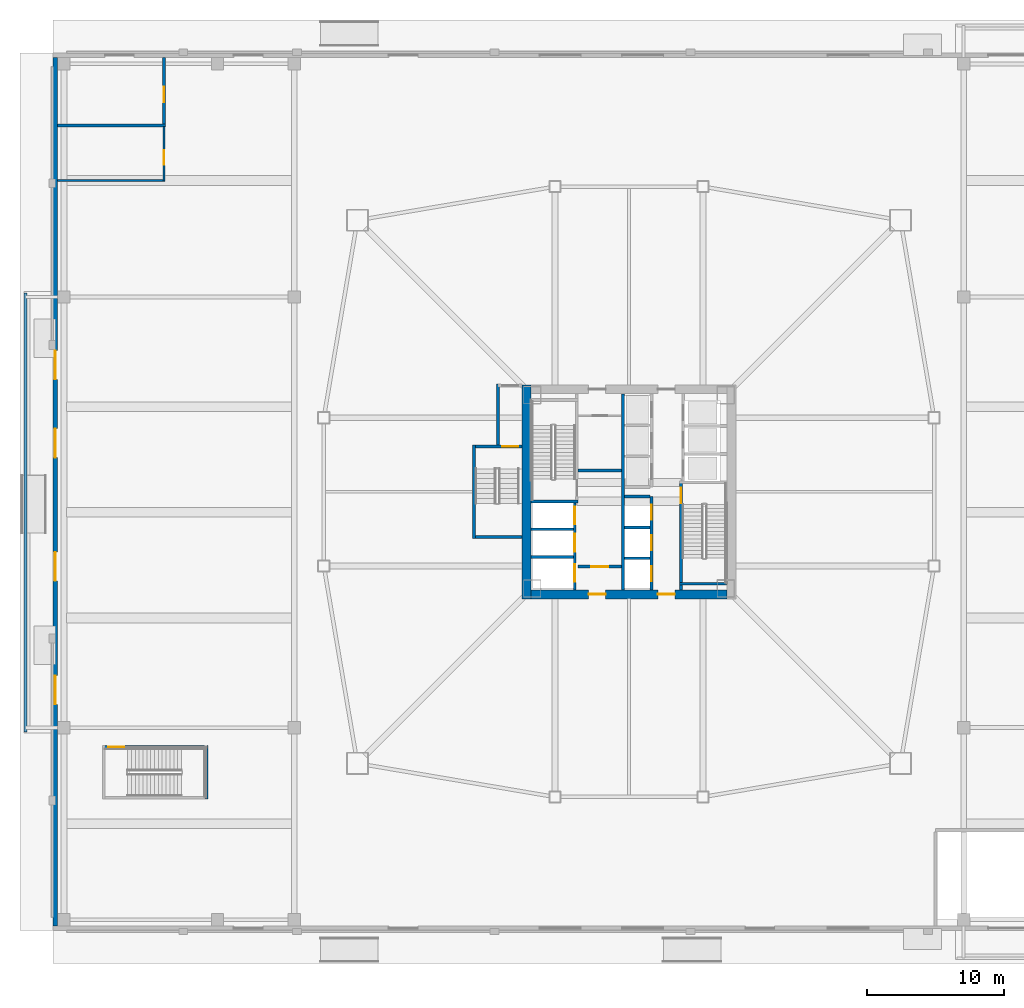
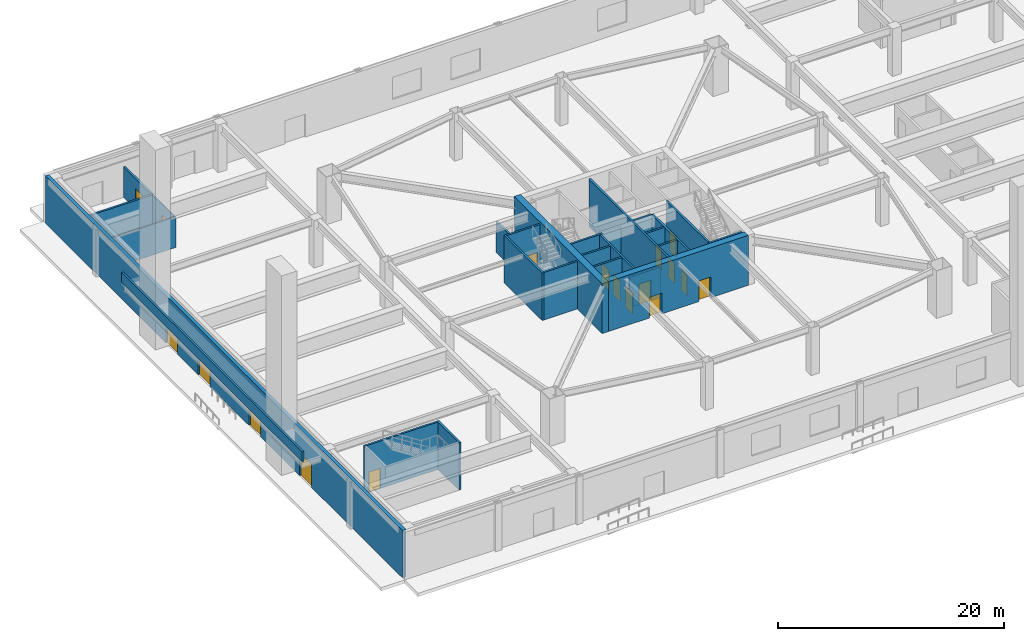
# One storey, part 8 of 26: 27 walls, 18 doors, 18 openings.
"""IFC4 building model written with IfcOpenShell, lengths in metres."""

import ifcopenshell
import ifcopenshell.guid

model = None  # the IFC model being written
_history = None  # IfcOwnerHistory: only IFC2X3 demands one
_inside = {}  # id of a spatial element -> (the spatial element, [elements in it])
_under = {}  # id of a project, library or spatial element -> (it, [spatial elements below it])
_declared = {}  # id of a project -> (the project, [libraries it declares])
_typed = {}  # id of a type object -> (the type object, [elements of that type])
_made_of = {}  # id of a material, layer set ... -> (it, [elements and type objects made of it])


def new_model(schema):
    """Start an empty IFC model of exactly this schema.

    Asked for "IFC4X3", IfcOpenShell would pick the latest addendum, in which some entities
    have other attributes; the version numbers below select the first issue.
    IFC2X3 requires an IfcOwnerHistory on every rooted entity: one is made here for all.
    """
    global model, _history
    if schema == "IFC4X3":
        model = ifcopenshell.file(schema_version=(4, 3, 0, 0))
    else:
        model = ifcopenshell.file(schema=schema)
    _inside.clear()
    _under.clear()
    _declared.clear()
    _typed.clear()
    _made_of.clear()
    _history = None
    if model.schema == "IFC2X3":
        org = make("IfcOrganization", Name="unknown")
        user = make(
            "IfcPersonAndOrganization",
            ThePerson=make("IfcPerson", FamilyName="unknown"),
            TheOrganization=org,
        )
        app = make(
            "IfcApplication",
            ApplicationDeveloper=org,
            Version="unknown",
            ApplicationFullName="unknown",
            ApplicationIdentifier="unknown",
        )
        _history = make(
            "IfcOwnerHistory",
            OwningUser=user,
            OwningApplication=app,
            ChangeAction="ADDED",
            CreationDate=0,
        )
    return model


def make(cls, **values):
    """One entity of the class cls with the attributes given. An attribute that is None is left unset."""
    return model.create_entity(
        cls, **{name: value for name, value in values.items() if value is not None}
    )


def rooted(cls, **values):
    """An entity with a GlobalId (a new one), such as an element, a storey or a relation."""
    return make(cls, GlobalId=ifcopenshell.guid.new(), OwnerHistory=_history, **values)


def si_unit(unit_type, name, prefix=None):
    """IfcSIUnit, for example si_unit("LENGTHUNIT", "METRE", prefix="MILLI")."""
    return make("IfcSIUnit", UnitType=unit_type, Prefix=prefix, Name=name)


def assignment(units):
    """IfcUnitAssignment: the units of a project."""
    return None if units is None else make("IfcUnitAssignment", Units=units)


def point(xyz):
    """IfcCartesianPoint."""
    return None if xyz is None else make("IfcCartesianPoint", Coordinates=xyz)


def direction(xyz):
    """IfcDirection."""
    return None if xyz is None else make("IfcDirection", DirectionRatios=xyz)


def frame(location, z_axis=None, x_axis=None):
    """IfcAxis2Placement3D, a coordinate frame: its origin and axes. An axis left out is left unset."""
    return make(
        "IfcAxis2Placement3D",
        Location=point(location),
        Axis=direction(z_axis),
        RefDirection=direction(x_axis),
    )


def frame_2d(location, x_axis=None):
    """IfcAxis2Placement2D, a coordinate frame in the plane: its origin and x axis."""
    return make(
        "IfcAxis2Placement2D", Location=point(location), RefDirection=direction(x_axis)
    )


def origin():
    """The frame at (0, 0, 0) with its axes left unset."""
    return frame((0.0, 0.0, 0.0))


def place(relative_to, where):
    """IfcLocalPlacement: puts the frame where relative to a parent placement (None: the world)."""
    return make(
        "IfcLocalPlacement", PlacementRelTo=relative_to, RelativePlacement=where
    )


def context(
    kind, dimensions, precision=None, world=None, true_north=None, identifier=None
):
    """IfcGeometricRepresentationContext, for example the 3D "Model" context."""
    return make(
        "IfcGeometricRepresentationContext",
        ContextIdentifier=identifier,
        ContextType=kind,
        CoordinateSpaceDimension=dimensions,
        Precision=precision,
        WorldCoordinateSystem=world,
        TrueNorth=true_north,
    )


def subcontext(parent, identifier, kind, view, scale=None):
    """IfcGeometricRepresentationSubContext, for example "Body" below "Model"."""
    return make(
        "IfcGeometricRepresentationSubContext",
        ContextIdentifier=identifier,
        ContextType=kind,
        ParentContext=parent,
        TargetScale=scale,
        TargetView=view,
    )


def project(units=None, contexts=None):
    """IfcProject with its units and contexts."""
    return rooted(
        "IfcProject",
        Name="project",
        RepresentationContexts=contexts,
        UnitsInContext=assignment(units),
    )


def spatial(cls, under=None, at=None, **own):
    """A site, building, storey or space (cls), placed at a placement, below another one or the project."""
    s = rooted(cls, ObjectPlacement=at, **own)
    if under is not None:
        _under.setdefault(under.id(), (under, []))[1].append(s)
    return s


def profile(cls, at=None, kind="AREA", **sizes):
    """A parametric profile (cls). Its sizes go by their IFC names, for example OverallWidth=200.0."""
    return make(cls, ProfileType=kind, Position=at, **sizes)


def rectangle(**sizes):
    """IfcRectangleProfileDef."""
    return profile("IfcRectangleProfileDef", **sizes)


def extrude(swept, where, along, depth):
    """IfcExtrudedAreaSolid: the profile swept, set in the frame where, extruded along a direction by depth."""
    return make(
        "IfcExtrudedAreaSolid",
        SweptArea=swept,
        Position=where,
        ExtrudedDirection=direction(along),
        Depth=depth,
    )


def shape(context_of_items, identifier, shape_type, items):
    """IfcShapeRepresentation: the items that make up one representation, for example the "Body"."""
    return make(
        "IfcShapeRepresentation",
        ContextOfItems=context_of_items,
        RepresentationIdentifier=identifier,
        RepresentationType=shape_type,
        Items=items,
    )


def material(Name=None, Category=None):
    """IfcMaterial."""
    return make("IfcMaterial", Name=Name, Category=Category)


def layer(
    of_material, thickness, ventilated=None, Name=None, Category=None, Priority=None
):
    """IfcMaterialLayer: one layer of a wall or slab, of a material (None: an air gap)."""
    return make(
        "IfcMaterialLayer",
        Material=of_material,
        LayerThickness=thickness,
        IsVentilated=ventilated,
        Name=Name,
        Category=Category,
        Priority=Priority,
    )


def layer_set(layers, Name=None):
    """IfcMaterialLayerSet."""
    return make("IfcMaterialLayerSet", MaterialLayers=layers, LayerSetName=Name)


def made_of(thing, what):
    """Note that an element or type object is made of a material, layer set ...; save() writes the relation."""
    if what is not None:
        _made_of.setdefault(what.id(), (what, []))[1].append(thing)
    return thing


def type_object(cls, material=None, **own):
    """A type object (cls), such as IfcWallType, which elements share."""
    return made_of(rooted(cls, **own), material)


def element(
    cls,
    number,
    at=None,
    inside=None,
    cuts=None,
    type_object=None,
    material=None,
    context=None,
    identifier="Body",
    shape_type=None,
    held_by="IfcProductDefinitionShape",
    body=None,
    shapes=None,
    **own,
):
    """One element of the class cls, such as IfcWall. Its Tag is "e" and its number.

    at: its placement. inside: the storey or other place that contains it. cuts: it is an
    opening in that element (IfcRelVoidsElement). A single representation is given by context,
    identifier, shape_type and body (its items); several are given by shapes. held_by: the class
    of the entity that holds the representations. save() writes the other relations.
    """
    e = rooted(cls, Tag="e%d" % number, ObjectPlacement=at, **own)
    if body is not None:
        shapes = [shape(context, identifier, shape_type, body)]
    if shapes is not None:
        e.Representation = make(held_by, Representations=shapes)
    if inside is not None:
        _inside.setdefault(inside.id(), (inside, []))[1].append(e)
    if cuts is not None:
        rooted(
            "IfcRelVoidsElement", RelatingBuildingElement=cuts, RelatedOpeningElement=e
        )
    if type_object is not None:
        _typed.setdefault(type_object.id(), (type_object, []))[1].append(e)
    return made_of(e, material)


def fill(opening, filler):
    """IfcRelFillsElement: the door or window that sits in an opening."""
    return rooted(
        "IfcRelFillsElement",
        RelatingOpeningElement=opening,
        RelatedBuildingElement=filler,
    )


def aggregate(whole, parts):
    """IfcRelAggregates: a whole, such as a stair, and the parts it consists of."""
    return rooted("IfcRelAggregates", RelatingObject=whole, RelatedObjects=parts)


def save(model, path):
    """Write the relations noted so far, then the file.

    IfcRelAggregates (storeys below a building ...), IfcRelContainedInSpatialStructure (elements
    in a storey), IfcRelDefinesByType, IfcRelAssociatesMaterial and IfcRelDeclares: one each for
    every whole, place, type object, material and project.
    """
    for whole, parts in _under.values():
        aggregate(whole, parts)
    for where, things in _inside.values():
        rooted(
            "IfcRelContainedInSpatialStructure",
            RelatedElements=things,
            RelatingStructure=where,
        )
    for kind, things in _typed.values():
        rooted("IfcRelDefinesByType", RelatedObjects=things, RelatingType=kind)
    for what, things in _made_of.values():
        rooted("IfcRelAssociatesMaterial", RelatedObjects=things, RelatingMaterial=what)
    for by, libraries in _declared.values():
        rooted("IfcRelDeclares", RelatingContext=by, RelatedDefinitions=libraries)
    model.write(path)


model = new_model("IFC4")

# Units and contexts
model_context = context("Model", 3, precision=1e-05, world=origin(), true_north=direction((0.0, 1.0)))
body_context = subcontext(model_context, "Body", "Model", "MODEL_VIEW")
ifc_project = project(units=[si_unit("LENGTHUNIT", "METRE"), si_unit("AREAUNIT", "SQUARE_METRE"), si_unit("VOLUMEUNIT", "CUBIC_METRE"), si_unit("PLANEANGLEUNIT", "RADIAN"), si_unit("MASSUNIT", "GRAM", prefix="KILO")], contexts=[model_context])

# Site, building, storey
site_placement = place(None, origin())
site = spatial("IfcSite", under=ifc_project, at=site_placement, CompositionType="ELEMENT")
building_placement = place(site_placement, origin())
building = spatial("IfcBuilding", under=site, at=building_placement, Name="Tashvorn Skyway Center", CompositionType="ELEMENT")
storey_placement = place(building_placement, origin())
storey = spatial("IfcBuildingStorey", under=building, at=storey_placement, Name="L00", CompositionType="ELEMENT", Elevation=0.0)

# Wall
ifc_material_1 = material(Name="Concrete C60/75", Category="concrete")
ifc_layer_1 = layer(ifc_material_1, 0.64990234375)
ifc_layer_set_1 = layer_set([ifc_layer_1], Name="Concrete C60/75")
wall_type_1 = type_object("IfcWallType", Name="WALL-CORE-650", PredefinedType="SHEAR", material=ifc_layer_set_1)
wall_1_placement = place(storey_placement, frame((34.52490234375, 24.199951171875, 0.0), z_axis=(0.0, 0.0, 1.0), x_axis=(0.0, 1.0, 0.0)))
element("IfcWall", 1, at=wall_1_placement, inside=storey, type_object=wall_type_1, Name="Tower 1 L00 West Core Shear Wall", PredefinedType="SHEAR", context=body_context, shape_type="SweptSolid", body=[
    extrude(rectangle(XDim=15.60009765625, YDim=0.64990234375, at=frame_2d((7.800048828125, 0.0))), origin(), (0.0, 0.0, 1.0), 5.39990234375),
])

# Wall, openings, doors
wall_2_placement = place(storey_placement, frame((49.14990234375, 24.52490234375, 0.0), z_axis=(0.0, 0.0, 1.0), x_axis=(-1.0, 0.0, 0.0)))
wall_2 = element("IfcWall", 2, at=wall_2_placement, inside=storey, type_object=wall_type_1, Name="Tower 1 L00 South Core Shear Wall", PredefinedType="SHEAR", context=body_context, shape_type="SweptSolid", body=[
    extrude(rectangle(XDim=14.2998046875, YDim=0.64990234375, at=frame_2d((7.14990234375, 0.0))), origin(), (0.0, 0.0, 1.0), 5.39990234375),
])
opening_1_placement = place(wall_2_placement, frame((8.85009765625, 0.0, 0.0)))
opening_1 = element("IfcOpeningElement", 3, at=opening_1_placement, cuts=wall_2, Name="Opening D-FFL-1250", PredefinedType="OPENING", context=body_context, shape_type="SweptSolid", body=[
    extrude(rectangle(XDim=1.25, YDim=2.25, at=frame_2d((0.625, 1.125))), frame((0.0, 0.3349609375, 0.0), z_axis=(0.0, -1.0, 0.0), x_axis=(1.0, 0.0, 0.0)), (0.0, 0.0, 1.0), 0.669921875),
])
opening_2_placement = place(wall_2_placement, frame((3.800048828125, 0.0, 0.0)))
opening_2 = element("IfcOpeningElement", 4, at=opening_2_placement, cuts=wall_2, Name="Opening D-FFL-1250", PredefinedType="OPENING", context=body_context, shape_type="SweptSolid", body=[
    extrude(rectangle(XDim=1.25, YDim=2.25, at=frame_2d((0.625, 1.125))), frame((0.0, 0.3349609375, 0.0), z_axis=(0.0, -1.0, 0.0), x_axis=(1.0, 0.0, 0.0)), (0.0, 0.0, 1.0), 0.669921875),
])
ifc_material_2 = material(Name="Hollow galvanized steel fire door assembly", Category="steel")
door_type_1 = type_object("IfcDoorType", Name="DOOR-FFL-1250", OperationType="NOTDEFINED", PredefinedType="DOOR", material=ifc_material_2)
door_1_placement = place(opening_1_placement, origin())
door_1 = element("IfcDoor", 5, at=door_1_placement, inside=storey, type_object=door_type_1, Name="Tower 1 L00 Core South Firefighting Exit Door", OperationType="SINGLE_SWING_LEFT", OverallHeight=2.25, OverallWidth=1.25, PredefinedType="DOOR", context=body_context, shape_type="SweptSolid", body=[
    extrude(rectangle(XDim=1.25, YDim=2.25, at=frame_2d((0.625, 1.125))), frame((0.0, 0.02490234375, 0.0), z_axis=(0.0, -1.0, 0.0), x_axis=(1.0, 0.0, 0.0)), (0.0, 0.0, 1.0), 0.050048828125),
])
fill(opening_1, door_1)
door_2_placement = place(opening_2_placement, origin())
door_2 = element("IfcDoor", 6, at=door_2_placement, inside=storey, type_object=door_type_1, Name="Tower 1 L00 Core South Lift Lobby Door", OperationType="SINGLE_SWING_RIGHT", OverallHeight=2.25, OverallWidth=1.25, PredefinedType="DOOR", context=body_context, shape_type="SweptSolid", body=[
    extrude(rectangle(XDim=1.25, YDim=2.25, at=frame_2d((0.625, 1.125))), frame((0.0, 0.02490234375, 0.0), z_axis=(0.0, -1.0, 0.0), x_axis=(1.0, 0.0, 0.0)), (0.0, 0.0, 1.0), 0.050048828125),
])
fill(opening_2, door_2)

ifc_material_3 = material(Name="Precast concrete C40/50", Category="concrete")
ifc_layer_2 = layer(ifc_material_3, 0.35009765625)
ifc_layer_set_2 = layer_set([ifc_layer_2], Name="Precast concrete C40/50")
wall_type_2 = type_object("IfcWallType", Name="WALL-EXT-350", PredefinedType="SOLIDWALL", material=ifc_layer_set_2)
wall_3_placement = place(storey_placement, frame((0.175048828125, 0.35009765625, 0.0), z_axis=(0.0, 0.0, 1.0), x_axis=(0.0, 1.0, 0.0)))
wall_3 = element("IfcWall", 7, at=wall_3_placement, inside=storey, type_object=wall_type_2, Name="L00 West Postmodern Precast Facade Wall", PredefinedType="SOLIDWALL", context=body_context, shape_type="SweptSolid", body=[
    extrude(rectangle(XDim=63.2998046875, YDim=0.35009765625, at=frame_2d((31.64990234375, 0.0))), origin(), (0.0, 0.0, 1.0), 5.139892578125),
])
opening_3_placement = place(wall_3_placement, frame((16.14990234375, 0.0, 0.0)))
opening_3 = element("IfcOpeningElement", 8, at=opening_3_placement, cuts=wall_3, Name="Opening D-EXT-2100", PredefinedType="OPENING", context=body_context, shape_type="SweptSolid", body=[
    extrude(rectangle(XDim=2.10009765625, YDim=2.5, at=frame_2d((1.050048828125, 1.25))), frame((0.0, 0.18505859375, 0.0), z_axis=(0.0, -1.0, 0.0), x_axis=(1.0, 0.0, 0.0)), (0.0, 0.0, 1.0), 0.3701171875),
])
opening_4_placement = place(wall_3_placement, frame((25.14990234375, 0.0, 0.0)))
opening_4 = element("IfcOpeningElement", 9, at=opening_4_placement, cuts=wall_3, Name="Opening D-EXT-2100", PredefinedType="OPENING", context=body_context, shape_type="SweptSolid", body=[
    extrude(rectangle(XDim=2.10009765625, YDim=2.5, at=frame_2d((1.050048828125, 1.25))), frame((0.0, 0.18505859375, 0.0), z_axis=(0.0, -1.0, 0.0), x_axis=(1.0, 0.0, 0.0)), (0.0, 0.0, 1.0), 0.3701171875),
])
opening_5_placement = place(wall_3_placement, frame((34.14990234375, 0.0, 0.0)))
opening_5 = element("IfcOpeningElement", 10, at=opening_5_placement, cuts=wall_3, Name="Opening D-EXT-2100", PredefinedType="OPENING", context=body_context, shape_type="SweptSolid", body=[
    extrude(rectangle(XDim=2.10009765625, YDim=2.5, at=frame_2d((1.050048828125, 1.25))), frame((0.0, 0.18505859375, 0.0), z_axis=(0.0, -1.0, 0.0), x_axis=(1.0, 0.0, 0.0)), (0.0, 0.0, 1.0), 0.3701171875),
])
opening_6_placement = place(wall_3_placement, frame((39.85009765625, 0.0, 0.0)))
opening_6 = element("IfcOpeningElement", 11, at=opening_6_placement, cuts=wall_3, Name="Opening D-EXT-2100", PredefinedType="OPENING", context=body_context, shape_type="SweptSolid", body=[
    extrude(rectangle(XDim=2.10009765625, YDim=2.5, at=frame_2d((1.050048828125, 1.25))), frame((0.0, 0.18505859375, 0.0), z_axis=(0.0, -1.0, 0.0), x_axis=(1.0, 0.0, 0.0)), (0.0, 0.0, 1.0), 0.3701171875),
])
ifc_material_4 = material(Name="Thermally broken bronze-anodized aluminium 6063-T6", Category="aluminium")
door_type_2 = type_object("IfcDoorType", Name="DOOR-EXT-2100", OperationType="DOUBLE_DOOR_SINGLE_SWING", PredefinedType="DOOR", material=ifc_material_4)
door_3_placement = place(opening_3_placement, origin())
door_3 = element("IfcDoor", 12, at=door_3_placement, inside=storey, type_object=door_type_2, Name="L00 West Plaza Final Exit Discharge Door W1", OperationType="DOUBLE_DOOR_SINGLE_SWING", OverallHeight=2.5, OverallWidth=2.10009765625, PredefinedType="DOOR", context=body_context, shape_type="SweptSolid", body=[
    extrude(rectangle(XDim=2.10009765625, YDim=2.5, at=frame_2d((1.050048828125, 1.25))), frame((0.0, 0.02490234375, 0.0), z_axis=(0.0, -1.0, 0.0), x_axis=(1.0, 0.0, 0.0)), (0.0, 0.0, 1.0), 0.050048828125),
])
fill(opening_3, door_3)
door_4_placement = place(opening_4_placement, origin())
door_4 = element("IfcDoor", 13, at=door_4_placement, inside=storey, type_object=door_type_2, Name="L00 West Plaza Final Exit Discharge Door W2", OperationType="DOUBLE_DOOR_SINGLE_SWING", OverallHeight=2.5, OverallWidth=2.10009765625, PredefinedType="DOOR", context=body_context, shape_type="SweptSolid", body=[
    extrude(rectangle(XDim=2.10009765625, YDim=2.5, at=frame_2d((1.050048828125, 1.25))), frame((0.0, 0.02490234375, 0.0), z_axis=(0.0, -1.0, 0.0), x_axis=(1.0, 0.0, 0.0)), (0.0, 0.0, 1.0), 0.050048828125),
])
fill(opening_4, door_4)
door_5_placement = place(opening_5_placement, origin())
door_5 = element("IfcDoor", 14, at=door_5_placement, inside=storey, type_object=door_type_2, Name="L00 West Plaza Final Exit Discharge Door W3", OperationType="DOUBLE_DOOR_SINGLE_SWING", OverallHeight=2.5, OverallWidth=2.10009765625, PredefinedType="DOOR", context=body_context, shape_type="SweptSolid", body=[
    extrude(rectangle(XDim=2.10009765625, YDim=2.5, at=frame_2d((1.050048828125, 1.25))), frame((0.0, 0.02490234375, 0.0), z_axis=(0.0, -1.0, 0.0), x_axis=(1.0, 0.0, 0.0)), (0.0, 0.0, 1.0), 0.050048828125),
])
fill(opening_5, door_5)
door_6_placement = place(opening_6_placement, origin())
door_6 = element("IfcDoor", 15, at=door_6_placement, inside=storey, type_object=door_type_2, Name="L00 West Plaza Final Exit Discharge Door W4", OperationType="DOUBLE_DOOR_SINGLE_SWING", OverallHeight=2.5, OverallWidth=2.10009765625, PredefinedType="DOOR", context=body_context, shape_type="SweptSolid", body=[
    extrude(rectangle(XDim=2.10009765625, YDim=2.5, at=frame_2d((1.050048828125, 1.25))), frame((0.0, 0.02490234375, 0.0), z_axis=(0.0, -1.0, 0.0), x_axis=(1.0, 0.0, 0.0)), (0.0, 0.0, 1.0), 0.050048828125),
])
fill(opening_6, door_6)

# Wall
ifc_material_5 = material(Name="Concrete C40/50", Category="concrete")
ifc_layer_3 = layer(ifc_material_5, 0.219970703125)
ifc_layer_set_3 = layer_set([ifc_layer_3], Name="Concrete C40/50")
wall_type_3 = type_object("IfcWallType", Name="WALL-FFL-220", PredefinedType="SOLIDWALL", material=ifc_layer_set_3)
wall_4_placement = place(storey_placement, frame((38.300048828125, 33.56005859375, 0.0), z_axis=(0.0, 0.0, 1.0), x_axis=(1.0, 0.0, 0.0)))
element("IfcWall", 16, at=wall_4_placement, inside=storey, type_object=wall_type_3, Name="Tower 1 L00 Firefighting Lobby North Wall", PredefinedType="SOLIDWALL", context=body_context, shape_type="SweptSolid", body=[
    extrude(rectangle(XDim=3.14990234375, YDim=0.219970703125, at=frame_2d((1.574951171875, 0.0))), origin(), (0.0, 0.0, 1.0), 3.31005859375),
])

# Wall, opening, door
wall_5_placement = place(storey_placement, frame((38.300048828125, 26.5400390625, 0.0), z_axis=(0.0, 0.0, 1.0), x_axis=(1.0, 0.0, 0.0)))
wall_5 = element("IfcWall", 17, at=wall_5_placement, inside=storey, type_object=wall_type_3, Name="Tower 1 L00 Firefighting Lobby South Wall", PredefinedType="SOLIDWALL", context=body_context, shape_type="SweptSolid", body=[
    extrude(rectangle(XDim=3.14990234375, YDim=0.219970703125, at=frame_2d((1.574951171875, 0.0))), origin(), (0.0, 0.0, 1.0), 3.31005859375),
])
opening_7_placement = place(wall_5_placement, frame((0.949951171875, 0.0, 0.0)))
opening_7 = element("IfcOpeningElement", 18, at=opening_7_placement, cuts=wall_5, Name="Opening D-FFL-1250", PredefinedType="OPENING", context=body_context, shape_type="SweptSolid", body=[
    extrude(rectangle(XDim=1.25, YDim=2.25, at=frame_2d((0.625, 1.125))), frame((0.0, 0.119873046875, 0.0), z_axis=(0.0, -1.0, 0.0), x_axis=(1.0, 0.0, 0.0)), (0.0, 0.0, 1.0), 0.239990234375),
])
door_7_placement = place(opening_7_placement, origin())
door_7 = element("IfcDoor", 19, at=door_7_placement, inside=storey, type_object=door_type_1, Name="Tower 1 L00 Firefighting Lobby Egress Door", OperationType="SINGLE_SWING_LEFT", OverallHeight=2.25, OverallWidth=1.25, PredefinedType="DOOR", context=body_context, shape_type="SweptSolid", body=[
    extrude(rectangle(XDim=1.25, YDim=2.25, at=frame_2d((0.625, 1.125))), frame((0.0, 0.02490234375, 0.0), z_axis=(0.0, -1.0, 0.0), x_axis=(1.0, 0.0, 0.0)), (0.0, 0.0, 1.0), 0.050048828125),
])
fill(opening_7, door_7)

# Wall
ifc_layer_4 = layer(ifc_material_3, 0.18994140625)
ifc_layer_set_4 = layer_set([ifc_layer_4], Name="Precast concrete C40/50")
wall_type_4 = type_object("IfcWallType", Name="WALL-PARA-190", PredefinedType="PARAPET", material=ifc_layer_set_4)
wall_6_placement = place(storey_placement, frame((-2.0, 14.5, 4.699951171875), z_axis=(0.0, 0.0, 1.0), x_axis=(0.0, 1.0, 0.0)))
element("IfcWall", 20, at=wall_6_placement, inside=storey, type_object=wall_type_4, Name="West Station Canopy Fascia Parapet", PredefinedType="PARAPET", context=body_context, shape_type="SweptSolid", body=[
    extrude(rectangle(XDim=32.0, YDim=0.18994140625, at=frame_2d((16.0, 0.0))), origin(), (0.0, 0.0, 1.0), 1.10009765625),
])

# Wall, opening, door
ifc_material_6 = material(Name="Gypsum board on cold-formed steel stud framing", Category="steel")
ifc_layer_5 = layer(ifc_material_6, 0.135009765625)
ifc_layer_set_5 = layer_set([ifc_layer_5], Name="Gypsum board on cold-formed steel stud framing")
wall_type_5 = type_object("IfcWallType", Name="WALL-PART-135", PredefinedType="PARTITIONING", material=ifc_layer_set_5)
wall_7_placement = place(storey_placement, frame((8.10009765625, 54.64990234375, 0.0), z_axis=(0.0, 0.0, 1.0), x_axis=(0.0, 1.0, 0.0)))
wall_7 = element("IfcWall", 21, at=wall_7_placement, inside=storey, type_object=wall_type_5, Name="L00 Restroom East Wall", PredefinedType="PARTITIONING", context=body_context, shape_type="SweptSolid", body=[
    extrude(rectangle(XDim=4.0, YDim=0.135009765625, at=frame_2d((2.0, 0.0))), origin(), (0.0, 0.0, 1.0), 3.31005859375),
])
opening_8_placement = place(wall_7_placement, frame((1.199951171875, 0.0, 0.0)))
opening_8 = element("IfcOpeningElement", 22, at=opening_8_placement, cuts=wall_7, Name="Opening D-ACC-1050", PredefinedType="OPENING", context=body_context, shape_type="SweptSolid", body=[
    extrude(rectangle(XDim=1.050048828125, YDim=2.199951171875, at=frame_2d((0.52490234375, 1.10009765625))), frame((0.0, 0.077392578125, 0.0), z_axis=(0.0, -1.0, 0.0), x_axis=(1.0, 0.0, 0.0)), (0.0, 0.0, 1.0), 0.155029296875),
])
ifc_material_7 = material(Name="Solid-core architectural oak veneer door")
door_type_3 = type_object("IfcDoorType", Name="DOOR-ACC-1050", OperationType="NOTDEFINED", PredefinedType="DOOR", material=ifc_material_7)
door_8_placement = place(opening_8_placement, origin())
door_8 = element("IfcDoor", 23, at=door_8_placement, inside=storey, type_object=door_type_3, Name="L00 Accessible Restroom Door", OperationType="SINGLE_SWING_LEFT", OverallHeight=2.199951171875, OverallWidth=1.050048828125, PredefinedType="DOOR", context=body_context, shape_type="SweptSolid", body=[
    extrude(rectangle(XDim=1.050048828125, YDim=2.199951171875, at=frame_2d((0.52490234375, 1.10009765625))), frame((0.0, 0.02490234375, 0.0), z_axis=(0.0, -1.0, 0.0), x_axis=(1.0, 0.0, 0.0)), (0.0, 0.0, 1.0), 0.050048828125),
])
fill(opening_8, door_8)

# Walls
wall_8_placement = place(storey_placement, frame((0.35009765625, 54.699951171875, 0.0), z_axis=(0.0, 0.0, 1.0), x_axis=(1.0, 0.0, 0.0)))
element("IfcWall", 24, at=wall_8_placement, inside=storey, type_object=wall_type_5, Name="L00 Restroom South Wall", PredefinedType="PARTITIONING", context=body_context, shape_type="SweptSolid", body=[
    extrude(rectangle(XDim=7.7998046875, YDim=0.135009765625, at=frame_2d((3.89990234375, 0.0))), origin(), (0.0, 0.0, 1.0), 3.31005859375),
])
ifc_layer_6 = layer(ifc_material_5, 0.199951171875)
ifc_layer_set_6 = layer_set([ifc_layer_6], Name="Concrete C40/50")
wall_type_6 = type_object("IfcWallType", Name="WALL-SHAFT-200", PredefinedType="SOLIDWALL", material=ifc_layer_set_6)
for number, where, z_axis, x_axis, name in (
    (25, (34.85009765625, 27.25, 0.0), (0.0, 0.0, 1.0), (1.0, 0.0, 0.0), "Tower 1 L00 FSAE Shaft Divider"),
    (26, (34.85009765625, 29.280029296875, 0.0), (0.0, 0.0, 1.0), (1.0, 0.0, 0.0), "Tower 1 L00 FSAE Shaft Divider"),
):
    element("IfcWall", number, at=place(storey_placement, frame(where, z_axis=z_axis, x_axis=x_axis)), inside=storey, type_object=wall_type_6, Name=name, PredefinedType="SOLIDWALL", context=body_context, shape_type="SweptSolid", body=[
        extrude(rectangle(XDim=3.099853515625, YDim=0.199951171875, at=frame_2d((1.5498046875, 0.0))), origin(), (0.0, 0.0, 1.0), 5.139892578125),
    ])

# Wall, openings, doors
wall_9_placement = place(storey_placement, frame((43.64990234375, 24.85009765625, 0.0), z_axis=(0.0, 0.0, 1.0), x_axis=(0.0, 1.0, 0.0)))
wall_9 = element("IfcWall", 27, at=wall_9_placement, inside=storey, type_object=wall_type_6, Name="Tower 1 L00 Low-Rise Core Wall", PredefinedType="SOLIDWALL", context=body_context, shape_type="SweptSolid", body=[
    extrude(rectangle(XDim=6.7998046875, YDim=0.199951171875, at=frame_2d((3.39990234375, 0.0))), origin(), (0.0, 0.0, 1.0), 5.139892578125),
])
opening_9_placement = place(wall_9_placement, frame((0.625, 0.0, 0.0)))
opening_9 = element("IfcOpeningElement", 28, at=opening_9_placement, cuts=wall_9, Name="Opening LD-LR-T1-1-L00", PredefinedType="OPENING", context=body_context, shape_type="SweptSolid", body=[
    extrude(rectangle(XDim=1.10009765625, YDim=2.199951171875, at=frame_2d((0.550048828125, 1.10009765625))), frame((0.0, 0.10986328125, 0.0), z_axis=(0.0, -1.0, 0.0), x_axis=(1.0, 0.0, 0.0)), (0.0, 0.0, 1.0), 0.219970703125),
])
opening_10_placement = place(wall_9_placement, frame((2.875, 0.0, 0.0)))
opening_10 = element("IfcOpeningElement", 29, at=opening_10_placement, cuts=wall_9, Name="Opening LD-LR-T1-2-L00", PredefinedType="OPENING", context=body_context, shape_type="SweptSolid", body=[
    extrude(rectangle(XDim=1.10009765625, YDim=2.199951171875, at=frame_2d((0.550048828125, 1.10009765625))), frame((0.0, 0.10986328125, 0.0), z_axis=(0.0, -1.0, 0.0), x_axis=(1.0, 0.0, 0.0)), (0.0, 0.0, 1.0), 0.219970703125),
])
opening_11_placement = place(wall_9_placement, frame((5.125, 0.0, 0.0)))
opening_11 = element("IfcOpeningElement", 30, at=opening_11_placement, cuts=wall_9, Name="Opening LD-LR-T1-3-L00", PredefinedType="OPENING", context=body_context, shape_type="SweptSolid", body=[
    extrude(rectangle(XDim=1.10009765625, YDim=2.199951171875, at=frame_2d((0.550048828125, 1.10009765625))), frame((0.0, 0.10986328125, 0.0), z_axis=(0.0, -1.0, 0.0), x_axis=(1.0, 0.0, 0.0)), (0.0, 0.0, 1.0), 0.219970703125),
])
ifc_material_8 = material(Name="Stainless steel landing door", Category="steel")
door_type_4 = type_object("IfcDoorType", Name="DOOR-LIFT-1100", OperationType="SLIDING_TO_LEFT", PredefinedType="DOOR", material=ifc_material_8)
door_9_placement = place(opening_9_placement, origin())
door_9 = element("IfcDoor", 31, at=door_9_placement, inside=storey, type_object=door_type_4, Name="Lift LR-T1-1 L00 Landing Door", OperationType="SLIDING_TO_LEFT", OverallHeight=2.199951171875, OverallWidth=1.10009765625, PredefinedType="DOOR", context=body_context, shape_type="SweptSolid", body=[
    extrude(rectangle(XDim=1.10009765625, YDim=2.199951171875, at=frame_2d((0.550048828125, 1.10009765625))), frame((0.0, 0.02490234375, 0.0), z_axis=(0.0, -1.0, 0.0), x_axis=(1.0, 0.0, 0.0)), (0.0, 0.0, 1.0), 0.050048828125),
])
fill(opening_9, door_9)
door_10_placement = place(opening_10_placement, origin())
door_10 = element("IfcDoor", 32, at=door_10_placement, inside=storey, type_object=door_type_4, Name="Lift LR-T1-2 L00 Landing Door", OperationType="SLIDING_TO_LEFT", OverallHeight=2.199951171875, OverallWidth=1.10009765625, PredefinedType="DOOR", context=body_context, shape_type="SweptSolid", body=[
    extrude(rectangle(XDim=1.10009765625, YDim=2.199951171875, at=frame_2d((0.550048828125, 1.10009765625))), frame((0.0, 0.02490234375, 0.0), z_axis=(0.0, -1.0, 0.0), x_axis=(1.0, 0.0, 0.0)), (0.0, 0.0, 1.0), 0.050048828125),
])
fill(opening_10, door_10)
door_11_placement = place(opening_11_placement, origin())
door_11 = element("IfcDoor", 33, at=door_11_placement, inside=storey, type_object=door_type_4, Name="Lift LR-T1-3 L00 Landing Door", OperationType="SLIDING_TO_LEFT", OverallHeight=2.199951171875, OverallWidth=1.10009765625, PredefinedType="DOOR", context=body_context, shape_type="SweptSolid", body=[
    extrude(rectangle(XDim=1.10009765625, YDim=2.199951171875, at=frame_2d((0.550048828125, 1.10009765625))), frame((0.0, 0.02490234375, 0.0), z_axis=(0.0, -1.0, 0.0), x_axis=(1.0, 0.0, 0.0)), (0.0, 0.0, 1.0), 0.050048828125),
])
fill(opening_11, door_11)

# Walls
for number, where, z_axis, x_axis, name in (
    (34, (41.669921875, 27.14990234375, 0.0), (0.0, 0.0, 1.0), (1.0, 0.0, 0.0), "Tower 1 L00 Low-Rise Shaft Divider"),
    (35, (41.669921875, 29.39990234375, 0.0), (0.0, 0.0, 1.0), (1.0, 0.0, 0.0), "Tower 1 L00 Low-Rise Shaft Divider"),
    (36, (41.669921875, 31.64990234375, 0.0), (0.0, 0.0, 1.0), (1.0, 0.0, 0.0), "Tower 1 L00 Low-Rise Shaft Divider"),
):
    element("IfcWall", number, at=place(storey_placement, frame(where, z_axis=z_axis, x_axis=x_axis)), inside=storey, type_object=wall_type_6, Name=name, PredefinedType="SOLIDWALL", context=body_context, shape_type="SweptSolid", body=[
        extrude(rectangle(XDim=1.880126953125, YDim=0.199951171875, at=frame_2d((0.93994140625, 0.0))), origin(), (0.0, 0.0, 1.0), 5.139892578125),
    ])
wall_10_placement = place(storey_placement, frame((32.449951171875, 35.39990234375, 0.0), z_axis=(0.0, 0.0, 1.0), x_axis=(0.0, 1.0, 0.0)))
element("IfcWall", 37, at=wall_10_placement, inside=storey, type_object=wall_type_6, Name="Tower 1 L00 Stair 3 Exit Passage Wall", PredefinedType="SOLIDWALL", context=body_context, shape_type="SweptSolid", body=[
    extrude(rectangle(XDim=4.4501953125, YDim=0.199951171875, at=frame_2d((2.22509765625, 0.0))), origin(), (0.0, 0.0, 1.0), 3.31005859375),
])
wall_11_placement = place(storey_placement, frame((0.35009765625, 58.699951171875, 0.0), z_axis=(0.0, 0.0, 1.0), x_axis=(1.0, 0.0, 0.0)))
element("IfcWall", 38, at=wall_11_placement, inside=storey, type_object=wall_type_6, Name="L00 Fire Command Center South Rated Wall", PredefinedType="SOLIDWALL", context=body_context, shape_type="SweptSolid", body=[
    extrude(rectangle(XDim=7.849853515625, YDim=0.199951171875, at=frame_2d((3.9248046875, 0.0))), origin(), (0.0, 0.0, 1.0), 3.31005859375),
])

# Wall, opening, door
wall_12_placement = place(storey_placement, frame((8.10009765625, 58.800048828125, 0.0), z_axis=(0.0, 0.0, 1.0), x_axis=(0.0, 1.0, 0.0)))
wall_12 = element("IfcWall", 39, at=wall_12_placement, inside=storey, type_object=wall_type_6, Name="L00 Fire Command Center East Rated Wall", PredefinedType="SOLIDWALL", context=body_context, shape_type="SweptSolid", body=[
    extrude(rectangle(XDim=4.849853515625, YDim=0.199951171875, at=frame_2d((2.4248046875, 0.0))), origin(), (0.0, 0.0, 1.0), 3.31005859375),
])
opening_12_placement = place(wall_12_placement, frame((1.60009765625, 0.0, 0.0)))
opening_12 = element("IfcOpeningElement", 40, at=opening_12_placement, cuts=wall_12, Name="Opening D-ST-1150", PredefinedType="OPENING", context=body_context, shape_type="SweptSolid", body=[
    extrude(rectangle(XDim=1.14990234375, YDim=2.199951171875, at=frame_2d((0.574951171875, 1.10009765625))), frame((0.0, 0.10986328125, 0.0), z_axis=(0.0, -1.0, 0.0), x_axis=(1.0, 0.0, 0.0)), (0.0, 0.0, 1.0), 0.219970703125),
])
door_type_5 = type_object("IfcDoorType", Name="DOOR-STAIR-1150", OperationType="NOTDEFINED", PredefinedType="DOOR", material=ifc_material_2)
door_12_placement = place(opening_12_placement, origin())
door_12 = element("IfcDoor", 41, at=door_12_placement, inside=storey, type_object=door_type_5, Name="L00 Fire Command Center Interior Door", OperationType="SINGLE_SWING_LEFT", OverallHeight=2.199951171875, OverallWidth=1.14990234375, PredefinedType="DOOR", context=body_context, shape_type="SweptSolid", body=[
    extrude(rectangle(XDim=1.14990234375, YDim=2.199951171875, at=frame_2d((0.574951171875, 1.10009765625))), frame((0.0, 0.02490234375, 0.0), z_axis=(0.0, -1.0, 0.0), x_axis=(1.0, 0.0, 0.0)), (0.0, 0.0, 1.0), 0.050048828125),
])
fill(opening_12, door_12)

# Wall
ifc_layer_7 = layer(ifc_material_5, 0.199951171875)
ifc_layer_set_7 = layer_set([ifc_layer_7], Name="Concrete C40/50")
wall_type_7 = type_object("IfcWallType", Name="WALL-STSHF-200", PredefinedType="SHEAR", material=ifc_layer_set_7)
wall_13_placement = place(storey_placement, frame((34.85009765625, 31.300048828125, 0.0), z_axis=(0.0, 0.0, 1.0), x_axis=(1.0, 0.0, 0.0)))
element("IfcWall", 42, at=wall_13_placement, inside=storey, type_object=wall_type_7, Name="Tower 1 L00 Stair 1 South Wall", PredefinedType="SHEAR", context=body_context, shape_type="SweptSolid", body=[
    extrude(rectangle(XDim=3.449951171875, YDim=0.199951171875, at=frame_2d((1.72509765625, 0.0))), origin(), (0.0, 0.0, 1.0), 5.139892578125),
])

# Wall, opening, door
wall_14_placement = place(storey_placement, frame((45.800048828125, 24.85009765625, 0.0), z_axis=(0.0, 0.0, 1.0), x_axis=(0.0, 1.0, 0.0)))
wall_14 = element("IfcWall", 43, at=wall_14_placement, inside=storey, type_object=wall_type_7, Name="Tower 1 L00 Stair 2 Enclosure Wall", PredefinedType="SHEAR", context=body_context, shape_type="SweptSolid", body=[
    extrude(rectangle(XDim=7.949951171875, YDim=0.199951171875, at=frame_2d((3.97509765625, 0.0))), origin(), (0.0, 0.0, 1.0), 5.139892578125),
])
opening_13_placement = place(wall_14_placement, frame((6.300048828125, 0.0, 0.0)))
opening_13 = element("IfcOpeningElement", 44, at=opening_13_placement, cuts=wall_14, Name="Opening D-ST-1150", PredefinedType="OPENING", context=body_context, shape_type="SweptSolid", body=[
    extrude(rectangle(XDim=1.14990234375, YDim=2.199951171875, at=frame_2d((0.574951171875, 1.10009765625))), frame((0.0, 0.10986328125, 0.0), z_axis=(0.0, -1.0, 0.0), x_axis=(1.0, 0.0, 0.0)), (0.0, 0.0, 1.0), 0.219970703125),
])
door_13_placement = place(opening_13_placement, origin())
door_13 = element("IfcDoor", 45, at=door_13_placement, inside=storey, type_object=door_type_5, Name="Tower 1 L00 Exit Stair 2 Discharge Door", OperationType="SINGLE_SWING_LEFT", OverallHeight=2.199951171875, OverallWidth=1.14990234375, PredefinedType="DOOR", context=body_context, shape_type="SweptSolid", body=[
    extrude(rectangle(XDim=1.14990234375, YDim=2.199951171875, at=frame_2d((0.574951171875, 1.10009765625))), frame((0.0, 0.02490234375, 0.0), z_axis=(0.0, -1.0, 0.0), x_axis=(1.0, 0.0, 0.0)), (0.0, 0.0, 1.0), 0.050048828125),
])
fill(opening_13, door_13)

# Walls
wall_15_placement = place(storey_placement, frame((45.699951171875, 25.300048828125, 0.0), z_axis=(0.0, 0.0, 1.0), x_axis=(1.0, 0.0, 0.0)))
element("IfcWall", 46, at=wall_15_placement, inside=storey, type_object=wall_type_7, Name="Tower 1 L00 Stair 2 South Wall", PredefinedType="SHEAR", context=body_context, shape_type="SweptSolid", body=[
    extrude(rectangle(XDim=3.449951171875, YDim=0.199951171875, at=frame_2d((1.72509765625, 0.0))), origin(), (0.0, 0.0, 1.0), 5.139892578125),
])
wall_16_placement = place(storey_placement, frame((41.56005859375, 24.85009765625, 0.0), z_axis=(0.0, 0.0, 1.0), x_axis=(0.0, 1.0, 0.0)))
element("IfcWall", 47, at=wall_16_placement, inside=storey, type_object=wall_type_7, Name="Tower 1 L00 Firefighting Lobby East Smoke Barrier", PredefinedType="SHEAR", context=body_context, shape_type="SweptSolid", body=[
    extrude(rectangle(XDim=14.2998046875, YDim=0.199951171875, at=frame_2d((7.14990234375, 0.0))), origin(), (0.0, 0.0, 1.0), 5.139892578125),
])

# Wall, openings, doors
wall_17_placement = place(storey_placement, frame((38.050048828125, 24.85009765625, 0.0), z_axis=(0.0, 0.0, 1.0), x_axis=(0.0, 1.0, 0.0)))
wall_17 = element("IfcWall", 48, at=wall_17_placement, inside=storey, type_object=wall_type_7, Name="Tower 1 L00 FSAE and Goods Shaft Front Wall", PredefinedType="SHEAR", context=body_context, shape_type="SweptSolid", body=[
    extrude(rectangle(XDim=6.349853515625, YDim=0.199951171875, at=frame_2d((3.1748046875, 0.0))), origin(), (0.0, 0.0, 1.0), 5.139892578125),
])
opening_14_placement = place(wall_17_placement, frame((4.77490234375, 0.0, 0.0)))
opening_14 = element("IfcOpeningElement", 49, at=opening_14_placement, cuts=wall_17, Name="Opening LD-FF-T1-1-L00", PredefinedType="OPENING", context=body_context, shape_type="SweptSolid", body=[
    extrude(rectangle(XDim=1.300048828125, YDim=2.25, at=frame_2d((0.64990234375, 1.125))), frame((0.0, 0.10986328125, 0.0), z_axis=(0.0, -1.0, 0.0), x_axis=(1.0, 0.0, 0.0)), (0.0, 0.0, 1.0), 0.219970703125),
])
opening_15_placement = place(wall_17_placement, frame((2.77490234375, 0.0, 0.0)))
opening_15 = element("IfcOpeningElement", 50, at=opening_15_placement, cuts=wall_17, Name="Opening LD-FF-T1-2-L00", PredefinedType="OPENING", context=body_context, shape_type="SweptSolid", body=[
    extrude(rectangle(XDim=1.300048828125, YDim=2.25, at=frame_2d((0.64990234375, 1.125))), frame((0.0, 0.10986328125, 0.0), z_axis=(0.0, -1.0, 0.0), x_axis=(1.0, 0.0, 0.0)), (0.0, 0.0, 1.0), 0.219970703125),
])
opening_16_placement = place(wall_17_placement, frame((0.574951171875, 0.0, 0.0)))
opening_16 = element("IfcOpeningElement", 51, at=opening_16_placement, cuts=wall_17, Name="Opening LD-GD-T1-1-L00", PredefinedType="OPENING", context=body_context, shape_type="SweptSolid", body=[
    extrude(rectangle(XDim=1.300048828125, YDim=2.25, at=frame_2d((0.64990234375, 1.125))), frame((0.0, 0.10986328125, 0.0), z_axis=(0.0, -1.0, 0.0), x_axis=(1.0, 0.0, 0.0)), (0.0, 0.0, 1.0), 0.219970703125),
])
ifc_material_9 = material(Name="Stainless steel heavy-duty landing door", Category="steel")
door_type_6 = type_object("IfcDoorType", Name="DOOR-LIFT-1300", OperationType="SLIDING_TO_LEFT", PredefinedType="DOOR", material=ifc_material_9)
door_14_placement = place(opening_14_placement, origin())
door_14 = element("IfcDoor", 52, at=door_14_placement, inside=storey, type_object=door_type_6, Name="Lift FF-T1-1 L00 Landing Door", OperationType="SLIDING_TO_LEFT", OverallHeight=2.25, OverallWidth=1.300048828125, PredefinedType="DOOR", context=body_context, shape_type="SweptSolid", body=[
    extrude(rectangle(XDim=1.300048828125, YDim=2.25, at=frame_2d((0.64990234375, 1.125))), frame((0.0, 0.02490234375, 0.0), z_axis=(0.0, -1.0, 0.0), x_axis=(1.0, 0.0, 0.0)), (0.0, 0.0, 1.0), 0.050048828125),
])
fill(opening_14, door_14)
door_15_placement = place(opening_15_placement, origin())
door_15 = element("IfcDoor", 53, at=door_15_placement, inside=storey, type_object=door_type_6, Name="Lift FF-T1-2 L00 Landing Door", OperationType="SLIDING_TO_LEFT", OverallHeight=2.25, OverallWidth=1.300048828125, PredefinedType="DOOR", context=body_context, shape_type="SweptSolid", body=[
    extrude(rectangle(XDim=1.300048828125, YDim=2.25, at=frame_2d((0.64990234375, 1.125))), frame((0.0, 0.02490234375, 0.0), z_axis=(0.0, -1.0, 0.0), x_axis=(1.0, 0.0, 0.0)), (0.0, 0.0, 1.0), 0.050048828125),
])
fill(opening_15, door_15)
door_16_placement = place(opening_16_placement, origin())
door_16 = element("IfcDoor", 54, at=door_16_placement, inside=storey, type_object=door_type_6, Name="Lift GD-T1-1 L00 Landing Door", OperationType="SLIDING_TO_LEFT", OverallHeight=2.25, OverallWidth=1.300048828125, PredefinedType="DOOR", context=body_context, shape_type="SweptSolid", body=[
    extrude(rectangle(XDim=1.300048828125, YDim=2.25, at=frame_2d((0.64990234375, 1.125))), frame((0.0, 0.02490234375, 0.0), z_axis=(0.0, -1.0, 0.0), x_axis=(1.0, 0.0, 0.0)), (0.0, 0.0, 1.0), 0.050048828125),
])
fill(opening_16, door_16)

# Wall
wall_18_placement = place(storey_placement, frame((30.699951171875, 28.60009765625, 0.0), z_axis=(0.0, 0.0, 1.0), x_axis=(0.0, 1.0, 0.0)))
element("IfcWall", 55, at=wall_18_placement, inside=storey, type_object=wall_type_7, Name="Tower 1 L00 Stair 3 Outer Wall", PredefinedType="SHEAR", context=body_context, shape_type="SweptSolid", body=[
    extrude(rectangle(XDim=6.7998046875, YDim=0.199951171875, at=frame_2d((3.39990234375, 0.0))), origin(), (0.0, 0.0, 1.0), 5.139892578125),
])

# Wall, opening, door
wall_19_placement = place(storey_placement, frame((30.800048828125, 35.300048828125, 0.0), z_axis=(0.0, 0.0, 1.0), x_axis=(1.0, 0.0, 0.0)))
wall_19 = element("IfcWall", 56, at=wall_19_placement, inside=storey, type_object=wall_type_7, Name="Tower 1 L00 Stair 3 Enclosure Wall", PredefinedType="SHEAR", context=body_context, shape_type="SweptSolid", body=[
    extrude(rectangle(XDim=3.39990234375, YDim=0.199951171875, at=frame_2d((1.699951171875, 0.0))), origin(), (0.0, 0.0, 1.0), 5.139892578125),
])
opening_17_placement = place(wall_19_placement, frame((1.97509765625, 0.0, 0.0)))
opening_17 = element("IfcOpeningElement", 57, at=opening_17_placement, cuts=wall_19, Name="Opening D-ST-1150", PredefinedType="OPENING", context=body_context, shape_type="SweptSolid", body=[
    extrude(rectangle(XDim=1.14990234375, YDim=2.199951171875, at=frame_2d((0.574951171875, 1.10009765625))), frame((0.0, 0.10986328125, 0.0), z_axis=(0.0, -1.0, 0.0), x_axis=(1.0, 0.0, 0.0)), (0.0, 0.0, 1.0), 0.219970703125),
])
door_17_placement = place(opening_17_placement, origin())
door_17 = element("IfcDoor", 58, at=door_17_placement, inside=storey, type_object=door_type_5, Name="Tower 1 L00 Exit Stair 3 Discharge Door", OperationType="SINGLE_SWING_LEFT", OverallHeight=2.199951171875, OverallWidth=1.14990234375, PredefinedType="DOOR", context=body_context, shape_type="SweptSolid", body=[
    extrude(rectangle(XDim=1.14990234375, YDim=2.199951171875, at=frame_2d((0.574951171875, 1.10009765625))), frame((0.0, 0.02490234375, 0.0), z_axis=(0.0, -1.0, 0.0), x_axis=(1.0, 0.0, 0.0)), (0.0, 0.0, 1.0), 0.050048828125),
])
fill(opening_17, door_17)

# Wall
wall_20_placement = place(storey_placement, frame((30.800048828125, 28.699951171875, 0.0), z_axis=(0.0, 0.0, 1.0), x_axis=(1.0, 0.0, 0.0)))
element("IfcWall", 59, at=wall_20_placement, inside=storey, type_object=wall_type_7, Name="Tower 1 L00 Stair 3 South Wall", PredefinedType="SHEAR", context=body_context, shape_type="SweptSolid", body=[
    extrude(rectangle(XDim=3.39990234375, YDim=0.199951171875, at=frame_2d((1.699951171875, 0.0))), origin(), (0.0, 0.0, 1.0), 5.139892578125),
])

# Wall, opening, door
wall_21_placement = place(storey_placement, frame((3.60009765625, 13.39990234375, 0.0), z_axis=(0.0, 0.0, 1.0), x_axis=(1.0, 0.0, 0.0)))
wall_21 = element("IfcWall", 60, at=wall_21_placement, inside=storey, type_object=wall_type_7, Name="L00 Podium Stair 1 North Wall", PredefinedType="SHEAR", context=body_context, shape_type="SweptSolid", body=[
    extrude(rectangle(XDim=7.699951171875, YDim=0.199951171875, at=frame_2d((3.85009765625, 0.0))), origin(), (0.0, 0.0, 1.0), 5.139892578125),
])
opening_18_placement = place(wall_21_placement, frame((0.449951171875, 0.0, 0.0)))
opening_18 = element("IfcOpeningElement", 61, at=opening_18_placement, cuts=wall_21, Name="Opening D-ST-1150", PredefinedType="OPENING", context=body_context, shape_type="SweptSolid", body=[
    extrude(rectangle(XDim=1.14990234375, YDim=2.199951171875, at=frame_2d((0.574951171875, 1.10009765625))), frame((0.0, 0.10986328125, 0.0), z_axis=(0.0, -1.0, 0.0), x_axis=(1.0, 0.0, 0.0)), (0.0, 0.0, 1.0), 0.219970703125),
])
door_18_placement = place(opening_18_placement, origin())
door_18 = element("IfcDoor", 62, at=door_18_placement, inside=storey, type_object=door_type_5, Name="L00 Podium Stair 1 Door", OperationType="SINGLE_SWING_LEFT", OverallHeight=2.199951171875, OverallWidth=1.14990234375, PredefinedType="DOOR", context=body_context, shape_type="SweptSolid", body=[
    extrude(rectangle(XDim=1.14990234375, YDim=2.199951171875, at=frame_2d((0.574951171875, 1.10009765625))), frame((0.0, 0.02490234375, 0.0), z_axis=(0.0, -1.0, 0.0), x_axis=(1.0, 0.0, 0.0)), (0.0, 0.0, 1.0), 0.050048828125),
])
fill(opening_18, door_18)

# Wall
wall_22_placement = place(storey_placement, frame((11.199951171875, 9.60009765625, 0.0), z_axis=(0.0, 0.0, 1.0), x_axis=(0.0, 1.0, 0.0)))
element("IfcWall", 63, at=wall_22_placement, inside=storey, type_object=wall_type_7, Name="L00 Podium Stair 1 East Wall", PredefinedType="SHEAR", context=body_context, shape_type="SweptSolid", body=[
    extrude(rectangle(XDim=3.89990234375, YDim=0.199951171875, at=frame_2d((1.949951171875, 0.0))), origin(), (0.0, 0.0, 1.0), 5.139892578125),
])

save(model, "model.ifc")
